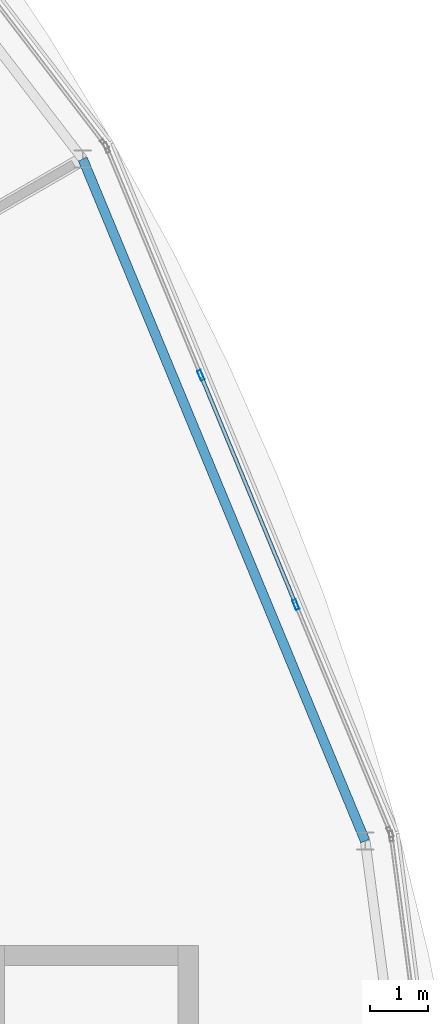
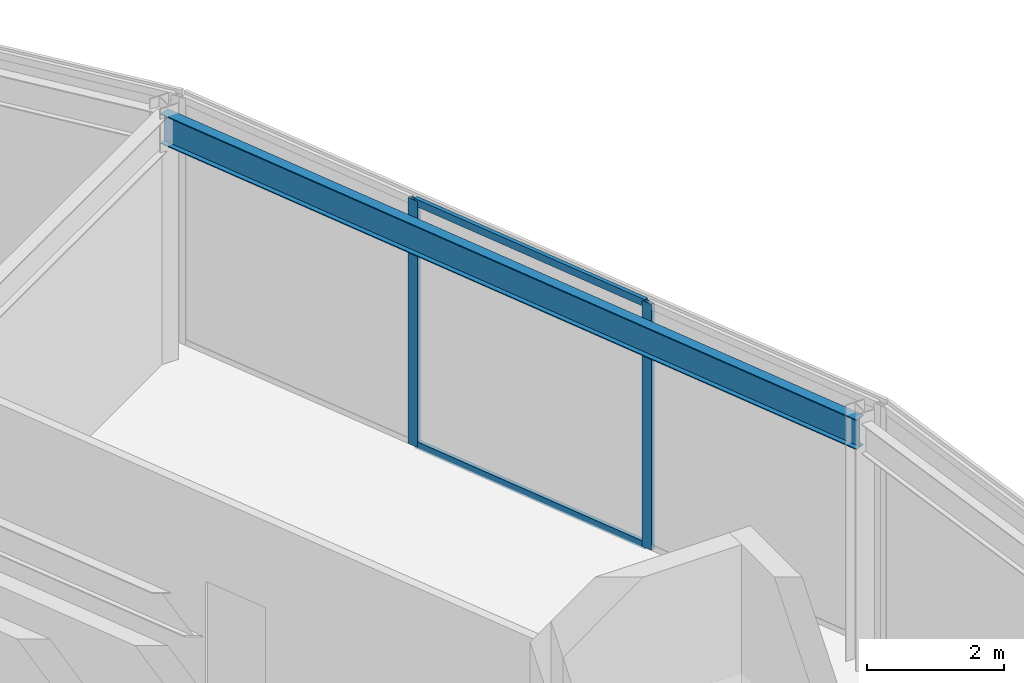
# One storey, part 55 of 116: 4 members, 1 beam, 1 element without a shape of its own.
"""IFC4 building model written with IfcOpenShell, lengths in metres."""

from ifc_helpers import new_model, si_unit, direction, frame, origin, origin_2d, place, context, subcontext, project, spatial, hollow_rectangle, i_section, extrude, material, material_profile, profile_set, type_object, element, aggregate, save


model = new_model("IFC4")

# Units and contexts
model_context = context("Model", 3, precision=1e-05, world=origin(), true_north=direction((0.0, 1.0)))
body_context = subcontext(model_context, "Body", "Model", "MODEL_VIEW")
ifc_project = project(units=[si_unit("LENGTHUNIT", "METRE"), si_unit("AREAUNIT", "SQUARE_METRE"), si_unit("VOLUMEUNIT", "CUBIC_METRE"), si_unit("PLANEANGLEUNIT", "RADIAN"), si_unit("MASSUNIT", "GRAM", prefix="KILO")], contexts=[model_context])

# Site, building, storey
site_placement = place(None, origin())
site = spatial("IfcSite", under=ifc_project, at=site_placement, CompositionType="ELEMENT")
building_placement = place(site_placement, origin())
building = spatial("IfcBuilding", under=site, at=building_placement, Name="Almandine Court Research Institute", CompositionType="ELEMENT")
storey_placement = place(building_placement, frame((0.0, 0.0, 14.35009765625)))
storey = spatial("IfcBuildingStorey", under=building, at=storey_placement, Name="L03", CompositionType="ELEMENT", Elevation=14.35009765625)

# Beam
ifc_material_1 = material(Name="Steel ASTM A992 Grade 50", Category="steel")
ifc_material_profile_1 = material_profile(ifc_material_1, i_section(OverallWidth=0.166015625, OverallDepth=0.534912109375, WebThickness=0.010009765625, FlangeThickness=0.01708984375, at=origin_2d()), Name="W530x85")
ifc_profile_set_1 = profile_set([ifc_material_profile_1], Name="Steel ASTM A992 Grade 50")
beam_type = type_object("IfcBeamType", Name="Beam-G-05-E", PredefinedType="SPANDREL", material=ifc_profile_set_1)
beam_placement = place(storey_placement, frame((134.23388671875, 68.656005859375, 4.102783203125), z_axis=(-0.382653578879, 0.923891897665, 0.0), x_axis=(-0.923891897665, -0.382653578879, 0.0)))
element("IfcBeam", 1, at=beam_placement, inside=storey, type_object=beam_type, Name="L03 Drum OUT Ring Beam 01", PredefinedType="SPANDREL", context=body_context, shape_type="SweptSolid", body=[
    extrude(i_section(OverallWidth=0.166015625, OverallDepth=0.534912109375, WebThickness=0.010009765625, FlangeThickness=0.01708984375, at=origin_2d()), origin(), (0.0, 0.0, 1.0), 12.765625),
])

# Curtain wall, members
ifc_material_2 = material(Name="Unitised Curtain Wall Framing and Solar Glazing", Category="glass")
curtain_wall_type = type_object("IfcCurtainWallType", Name="CW-CWJ-19", PredefinedType="USERDEFINED", material=ifc_material_2)
curtain_wall_placement = place(storey_placement, origin())
curtain_wall = element("IfcCurtainWall", 2, at=curtain_wall_placement, inside=storey, type_object=curtain_wall_type, Name="L03 Stacked-Ring Drum Outer Solar Jali Screen 01", ObjectType="SOLAR JALI SCREEN", PredefinedType="USERDEFINED")
ifc_material_3 = material(Name="Anodised Aluminium AW-6063-T6", Category="aluminium")
ifc_material_profile_2 = material_profile(ifc_material_3, hollow_rectangle(XDim=0.06494140625, YDim=0.179931640625, WallThickness=0.00390625, at=origin_2d()), Name="ALU RHS 65x180x4")
ifc_profile_set_2 = profile_set([ifc_material_profile_2], Name="Anodised Aluminium AW-6063-T6")
member_type_1 = type_object("IfcMemberType", Name="CWMul-65x180", PredefinedType="MULLION", material=ifc_profile_set_2)
member_1_placement = place(storey_placement, frame((131.3916015625, 76.7109375, 0.0), z_axis=(0.0, 0.0, 1.0), x_axis=(0.923888124321, 0.382662689242, 0.0)))
member_1 = element("IfcMember", 3, at=member_1_placement, type_object=member_type_1, Name="CWJ-19 mullion 2", PredefinedType="MULLION", context=body_context, shape_type="SweptSolid", body=[
    extrude(hollow_rectangle(XDim=0.06494140625, YDim=0.179931640625, WallThickness=0.00390625, at=origin_2d()), origin(), (0.0, 0.0, 1.0), 4.369873046875),
])
member_2_placement = place(storey_placement, frame((133.034423828125, 72.7451171875, 0.0), z_axis=(0.0, 0.0, 1.0), x_axis=(0.923888124321, 0.382662689242, 0.0)))
member_2 = element("IfcMember", 4, at=member_2_placement, type_object=member_type_1, Name="CWJ-19 mullion 3", PredefinedType="MULLION", context=body_context, shape_type="SweptSolid", body=[
    extrude(hollow_rectangle(XDim=0.06494140625, YDim=0.179931640625, WallThickness=0.00390625, at=origin_2d()), origin(), (0.0, 0.0, 1.0), 4.369873046875),
])
ifc_material_profile_3 = material_profile(ifc_material_3, hollow_rectangle(XDim=0.06494140625, YDim=0.1298828125, WallThickness=0.00390625, at=origin_2d()), Name="ALU RHS 65x130x4")
ifc_profile_set_3 = profile_set([ifc_material_profile_3], Name="Anodised Aluminium AW-6063-T6")
member_type_2 = type_object("IfcMemberType", Name="CWTrn-65x130", PredefinedType="NOTDEFINED", material=ifc_profile_set_3)
member_3_placement = place(storey_placement, frame((131.404052734375, 76.680908203125, 0.032470703125), z_axis=(0.382703712437, -0.92387113197, 0.0), x_axis=(0.92387113197, 0.382703712437, 0.0)))
member_3 = element("IfcMember", 5, at=member_3_placement, type_object=member_type_2, Name="CWJ-19 transom 2.1", ObjectType="TRANSOM", PredefinedType="USERDEFINED", context=body_context, shape_type="SweptSolid", body=[
    extrude(hollow_rectangle(XDim=0.06494140625, YDim=0.1298828125, WallThickness=0.00390625, at=origin_2d()), origin(), (0.0, 0.0, 1.0), 4.2275390625),
])
member_4_placement = place(storey_placement, frame((131.404052734375, 76.680908203125, 4.33740234375), z_axis=(0.382703712437, -0.92387113197, 0.0), x_axis=(0.92387113197, 0.382703712437, 0.0)))
member_4 = element("IfcMember", 6, at=member_4_placement, type_object=member_type_2, Name="CWJ-19 transom 2.2", ObjectType="TRANSOM", PredefinedType="USERDEFINED", context=body_context, shape_type="SweptSolid", body=[
    extrude(hollow_rectangle(XDim=0.06494140625, YDim=0.1298828125, WallThickness=0.00390625, at=origin_2d()), origin(), (0.0, 0.0, 1.0), 4.2275390625),
])
aggregate(curtain_wall, [member_1, member_2, member_3, member_4])

save(model, "model.ifc")
